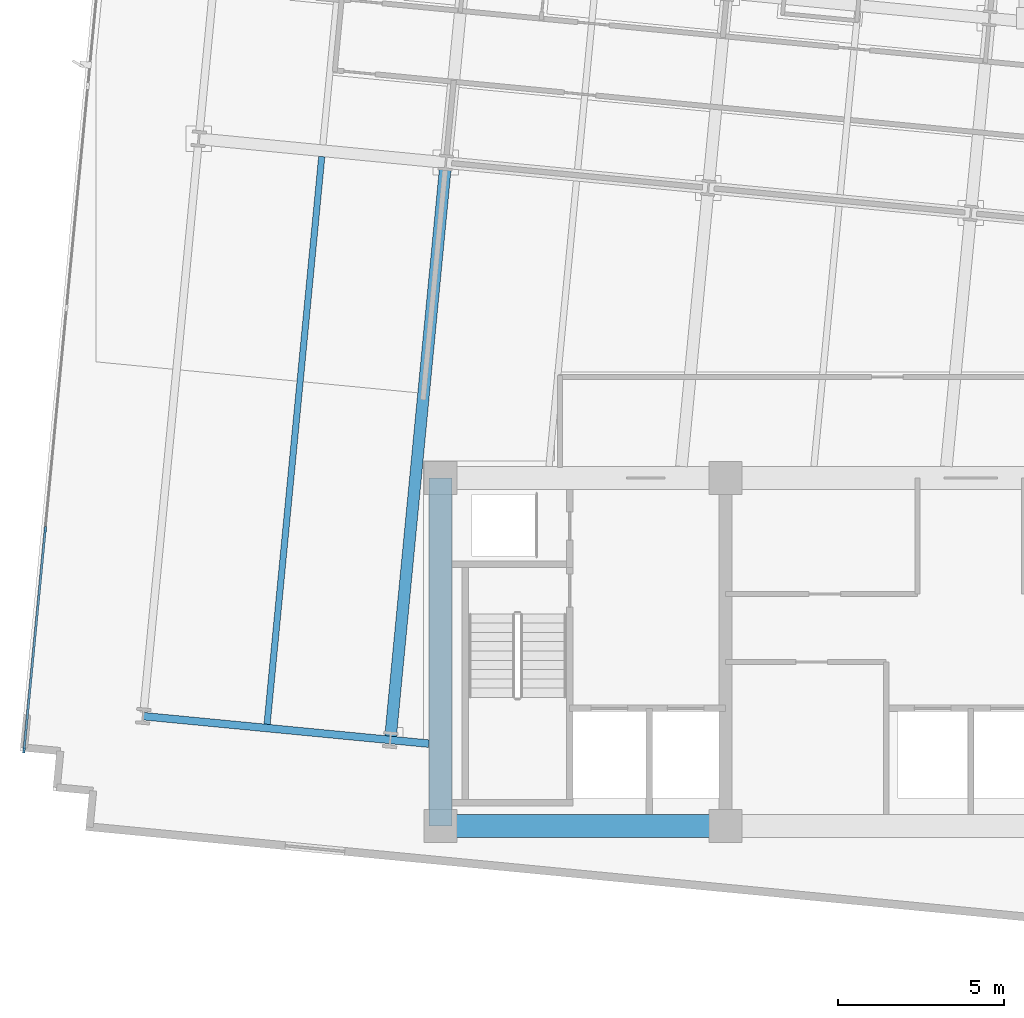
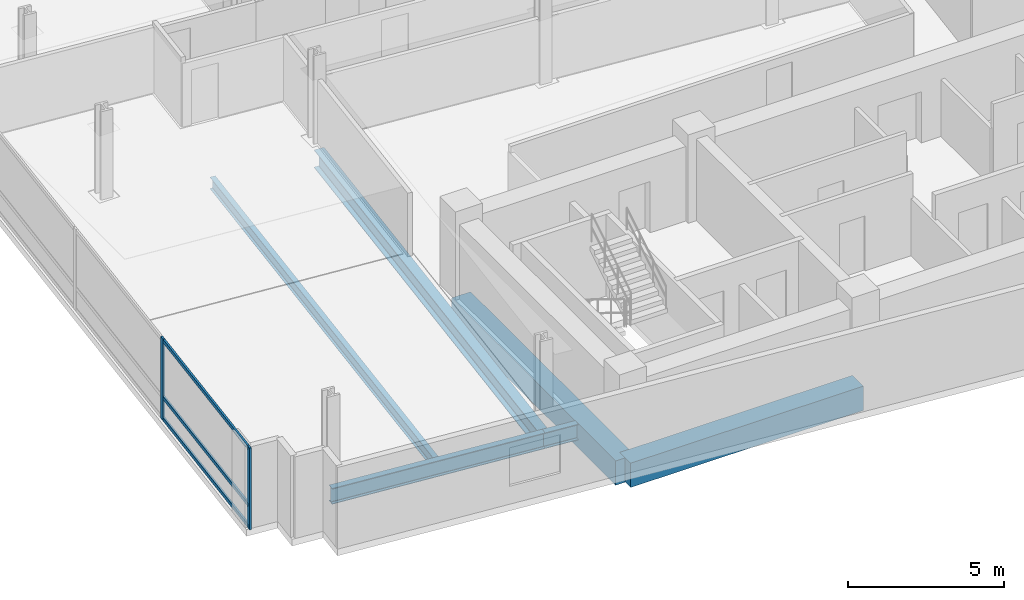
# One storey, part 2 of 17: 6 beams, 5 members, 1 element without a shape of its own.
"""IFC4 building model written with IfcOpenShell, lengths in metres."""

from ifc_helpers import new_model, si_unit, direction, frame, origin, origin_2d, place, context, subcontext, project, spatial, rectangle, i_section, extrude, material, material_profile, profile_set, type_object, element, aggregate, save


model = new_model("IFC4")

# Units and contexts
model_context = context("Model", 3, precision=1e-05, world=origin(), true_north=direction((0.0, 1.0)))
body_context = subcontext(model_context, "Body", "Model", "MODEL_VIEW")
ifc_project = project(units=[si_unit("LENGTHUNIT", "METRE"), si_unit("AREAUNIT", "SQUARE_METRE"), si_unit("VOLUMEUNIT", "CUBIC_METRE"), si_unit("PLANEANGLEUNIT", "RADIAN"), si_unit("MASSUNIT", "GRAM", prefix="KILO")], contexts=[model_context])

# Site, building, storey
site_placement = place(None, origin())
site = spatial("IfcSite", under=ifc_project, at=site_placement, CompositionType="ELEMENT")
building_placement = place(site_placement, origin())
building = spatial("IfcBuilding", under=site, at=building_placement, Name="Solmavex Isthmus Hotel", CompositionType="ELEMENT")
storey_placement = place(building_placement, frame((0.0, 0.0, 146.25)))
storey = spatial("IfcBuildingStorey", under=building, at=storey_placement, Name="L39", CompositionType="ELEMENT", Elevation=146.25)

# Beams
ifc_material_1 = material(Name="Steel ASTM A992 Grade 50", Category="steel")
ifc_material_profile_1 = material_profile(ifc_material_1, i_section(OverallWidth=0.354736328125, OverallDepth=0.695556640625, WebThickness=0.015380859375, FlangeThickness=0.02490234375, FilletRadius=0.017822265625, at=origin_2d()), Name="W27X146")
ifc_profile_set_1 = profile_set([ifc_material_profile_1], Name="Steel ASTM A992 Grade 50")
beam_type_1 = type_object("IfcBeamType", Name="BM-BG-W27X146", PredefinedType="BEAM", material=ifc_profile_set_1)
beam_1_placement = place(storey_placement, frame((-17.503662109375, -10.289306640625, -0.607666015625), z_axis=(0.095840821687, 0.99539667314, 0.0), x_axis=(-0.99539667314, 0.095840821687, 0.0)))
element("IfcBeam", 1, at=beam_1_placement, inside=storey, type_object=beam_type_1, Name="Floor Beam L39-VG24", PredefinedType="BEAM", context=body_context, shape_type="SweptSolid", body=[
    extrude(i_section(OverallWidth=0.354736328125, OverallDepth=0.695556640625, WebThickness=0.015380859375, FlangeThickness=0.02490234375, FilletRadius=0.017822265625, at=origin_2d()), origin(), (0.0, 0.0, 1.0), 17.207275390625),
])
ifc_material_profile_2 = material_profile(ifc_material_1, i_section(OverallWidth=0.1904296875, OverallDepth=0.456787109375, WebThickness=0.009033203125, FlangeThickness=0.014404296875, FilletRadius=0.0126953125, at=origin_2d()), Name="W18X50")
ifc_profile_set_2 = profile_set([ifc_material_profile_2], Name="Steel ASTM A992 Grade 50")
beam_type_2 = type_object("IfcBeamType", Name="BM-BJ-W18X50", PredefinedType="JOIST", material=ifc_profile_set_2)
beam_2_placement = place(storey_placement, frame((-21.23046875, -9.930419921875, -0.488525390625), z_axis=(0.095840821687, 0.99539667314, 0.0), x_axis=(-0.99539667314, 0.095840821687, 0.0)))
element("IfcBeam", 2, at=beam_2_placement, inside=storey, type_object=beam_type_2, Name="Secondary Floor Joist L39-J01", PredefinedType="JOIST", context=body_context, shape_type="SweptSolid", body=[
    extrude(i_section(OverallWidth=0.1904296875, OverallDepth=0.456787109375, WebThickness=0.009033203125, FlangeThickness=0.014404296875, FilletRadius=0.0126953125, at=origin_2d()), origin(), (0.0, 0.0, 1.0), 17.207275390625),
])
ifc_material_2 = material(Name="Concrete C60/75", Category="concrete")
ifc_material_profile_3 = material_profile(ifc_material_2, rectangle(XDim=0.699951171875, YDim=0.949951171875, at=origin_2d()), Name="RC700X950")
ifc_profile_set_3 = profile_set([ifc_material_profile_3], Name="Concrete C60/75")
beam_type_3 = type_object("IfcBeamType", Name="BM-CB-700X950", PredefinedType="BEAM", material=ifc_profile_set_3)
beam_3_placement = place(storey_placement, frame((-16.0, -13.0, -0.735107421875), z_axis=(1.0, 0.0, 0.0), x_axis=(0.0, 1.0, 0.0)))
element("IfcBeam", 3, at=beam_3_placement, inside=storey, type_object=beam_type_3, Name="Core Coupling Beam L39-CB1", PredefinedType="BEAM", context=body_context, shape_type="SweptSolid", body=[
    extrude(rectangle(XDim=0.699951171875, YDim=0.949951171875, at=origin_2d()), origin(), (0.0, 0.0, 1.0), 8.60009765625),
])
beam_4_placement = place(storey_placement, frame((-16.0, -13.0, -0.735107421875), z_axis=(0.0, 1.0, 0.0), x_axis=(-1.0, 0.0, 0.0)))
element("IfcBeam", 4, at=beam_4_placement, inside=storey, type_object=beam_type_3, Name="Core Coupling Beam L39-CB7", PredefinedType="BEAM", context=body_context, shape_type="SweptSolid", body=[
    extrude(rectangle(XDim=0.699951171875, YDim=0.949951171875, at=origin_2d()), origin(), (0.0, 0.0, 1.0), 10.5),
])
ifc_material_profile_4 = material_profile(ifc_material_1, i_section(OverallWidth=0.230224609375, OverallDepth=0.617431640625, WebThickness=0.01318359375, FlangeThickness=0.022216796875, FilletRadius=0.01513671875, at=origin_2d()), Name="W24X94")
ifc_profile_set_4 = profile_set([ifc_material_profile_4], Name="Steel ASTM A992 Grade 50")
beam_type_4 = type_object("IfcBeamType", Name="BM-SP-W24X94", PredefinedType="SPANDREL", material=ifc_profile_set_4)
beam_5_placement = place(storey_placement, frame((-24.96826171875, -9.686279296875, -0.56884765625), z_axis=(0.995395279593, -0.095855293875, 0.0), x_axis=(0.095855293875, 0.995395279593, 0.0)))
element("IfcBeam", 5, at=beam_5_placement, inside=storey, type_object=beam_type_4, Name="Floor Girder L39-UG01", PredefinedType="SPANDREL", context=body_context, shape_type="SweptSolid", body=[
    extrude(i_section(OverallWidth=0.230224609375, OverallDepth=0.617431640625, WebThickness=0.01318359375, FlangeThickness=0.022216796875, FilletRadius=0.01513671875, at=origin_2d()), origin(), (0.0, 0.0, 1.0), 7.488037109375),
])
beam_6_placement = place(storey_placement, frame((-17.5146484375, -10.404052734375, -0.56884765625), z_axis=(0.995402144456, -0.095783979938, 0.0), x_axis=(0.095783979938, 0.995402144456, 0.0)))
element("IfcBeam", 6, at=beam_6_placement, inside=storey, type_object=beam_type_4, Name="Floor Girder L39-UG02", PredefinedType="SPANDREL", context=body_context, shape_type="SweptSolid", body=[
    extrude(i_section(OverallWidth=0.230224609375, OverallDepth=0.617431640625, WebThickness=0.01318359375, FlangeThickness=0.022216796875, FilletRadius=0.01513671875, at=origin_2d()), origin(), (0.0, 0.0, 1.0), 1.169921875),
])

# Curtain wall, members
ifc_material_3 = material(Name="Aluminium alloy 6063-T6", Category="aluminium")
curtain_wall_type = type_object("IfcCurtainWallType", Name="CW-SYS-03", PredefinedType="NOTDEFINED", material=ifc_material_3)
curtain_wall_placement = place(storey_placement, origin())
curtain_wall = element("IfcCurtainWall", 7, at=curtain_wall_placement, inside=storey, type_object=curtain_wall_type, Name="Stick Curtain Wall CWL-L39-W1", PredefinedType="NOTDEFINED")
ifc_material_profile_5 = material_profile(ifc_material_3, rectangle(XDim=0.070068359375, YDim=0.179931640625, at=origin_2d()), Name="CWM-70X180")
ifc_profile_set_5 = profile_set([ifc_material_profile_5], Name="Aluminium alloy 6063-T6")
member_type_1 = type_object("IfcMemberType", Name="CW-SYS-03-MUL", PredefinedType="MULLION", material=ifc_profile_set_5)
member_1_placement = place(storey_placement, frame((-28.56298828125, -10.71142578125, 0.0), z_axis=(0.0, 0.0, 1.0), x_axis=(-0.995396190038, 0.09584583902, 0.0)))
member_1 = element("IfcMember", 8, at=member_1_placement, type_object=member_type_1, Name="CW-03 mullion 1", PredefinedType="MULLION", context=body_context, shape_type="SweptSolid", body=[
    extrude(rectangle(XDim=0.070068359375, YDim=0.179931640625, at=origin_2d()), origin(), (0.0, 0.0, 1.0), 3.18994140625),
])
member_2_placement = place(storey_placement, frame((-27.92236328125, -4.057373046875, 0.0), z_axis=(0.0, 0.0, 1.0), x_axis=(-0.995396190038, 0.09584583902, 0.0)))
member_2 = element("IfcMember", 9, at=member_2_placement, type_object=member_type_1, Name="CW-03 mullion 2", PredefinedType="MULLION", context=body_context, shape_type="SweptSolid", body=[
    extrude(rectangle(XDim=0.070068359375, YDim=0.179931640625, at=origin_2d()), origin(), (0.0, 0.0, 1.0), 3.18994140625),
])
ifc_material_profile_6 = material_profile(ifc_material_3, rectangle(XDim=0.070068359375, YDim=0.139892578125, at=origin_2d()), Name="CWT-70X140")
ifc_profile_set_6 = profile_set([ifc_material_profile_6], Name="Aluminium alloy 6063-T6")
member_type_2 = type_object("IfcMemberType", Name="CW-SYS-03-TRN", PredefinedType="USERDEFINED", material=ifc_profile_set_6)
member_3_placement = place(storey_placement, frame((-28.559814453125, -10.6767578125, 0.070068359375), z_axis=(0.095845316679, 0.995396240334, 0.0), x_axis=(-0.995396240334, 0.095845316679, 0.0)))
member_3 = element("IfcMember", 10, at=member_3_placement, type_object=member_type_2, Name="CW-03 transom 1.1", ObjectType="TRANSOM", PredefinedType="USERDEFINED", context=body_context, shape_type="SweptSolid", body=[
    extrude(rectangle(XDim=0.070068359375, YDim=0.139892578125, at=origin_2d()), origin(), (0.0, 0.0, 1.0), 6.615234375),
])
member_4_placement = place(storey_placement, frame((-28.559814453125, -10.6767578125, 0.89990234375), z_axis=(0.095845316679, 0.995396240334, 0.0), x_axis=(-0.995396240334, 0.095845316679, 0.0)))
member_4 = element("IfcMember", 11, at=member_4_placement, type_object=member_type_2, Name="CW-03 transom 1.2", ObjectType="TRANSOM", PredefinedType="USERDEFINED", context=body_context, shape_type="SweptSolid", body=[
    extrude(rectangle(XDim=0.070068359375, YDim=0.139892578125, at=origin_2d()), origin(), (0.0, 0.0, 1.0), 6.615234375),
])
member_5_placement = place(storey_placement, frame((-28.559814453125, -10.6767578125, 3.1201171875), z_axis=(0.095845316679, 0.995396240334, 0.0), x_axis=(-0.995396240334, 0.095845316679, 0.0)))
member_5 = element("IfcMember", 12, at=member_5_placement, type_object=member_type_2, Name="CW-03 transom 1.3", ObjectType="TRANSOM", PredefinedType="USERDEFINED", context=body_context, shape_type="SweptSolid", body=[
    extrude(rectangle(XDim=0.070068359375, YDim=0.139892578125, at=origin_2d()), origin(), (0.0, 0.0, 1.0), 6.615234375),
])
aggregate(curtain_wall, [member_1, member_2, member_3, member_4, member_5])

save(model, "model.ifc")
